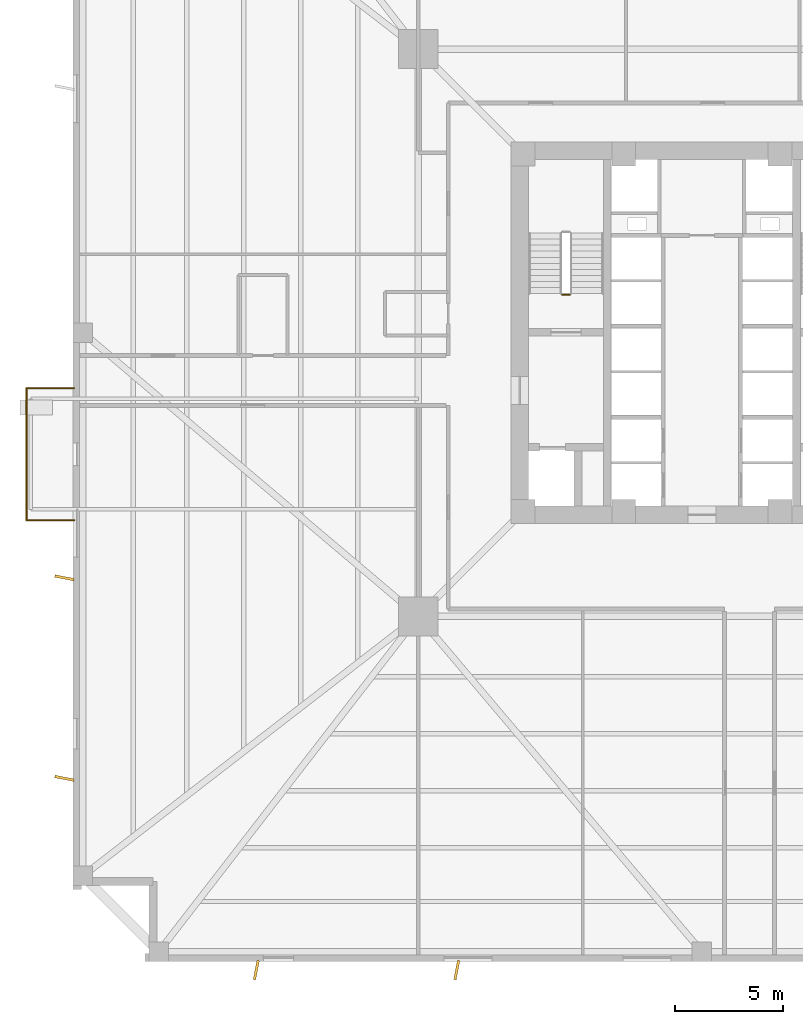
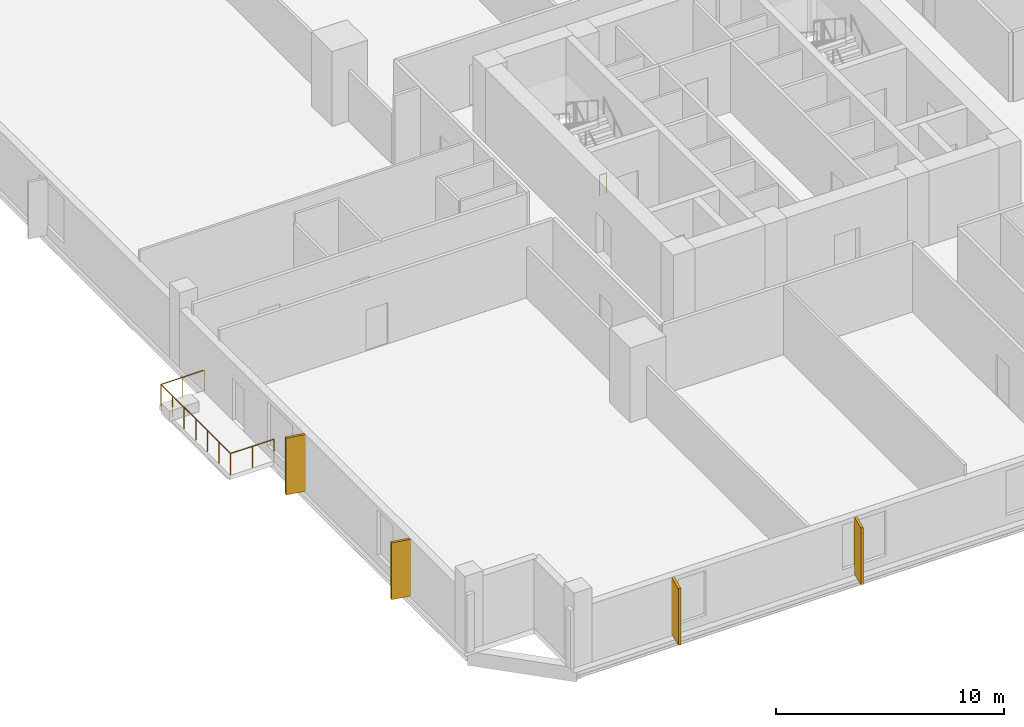
# One storey, part 6 of 9: 4 coverings, 4 railings.
"""IFC4 building model written with IfcOpenShell, lengths in metres."""

from ifc_helpers import new_model, si_unit, direction, frame, origin, origin_2d, place, context, subcontext, project, spatial, rectangle, circle, extrude, source, transform, mapped, material, layer, layer_set, type_object, element, save


model = new_model("IFC4")

# Units and contexts
model_context = context("Model", 3, precision=1e-05, world=origin(), true_north=direction((0.0, 1.0)))
body_context = subcontext(model_context, "Body", "Model", "MODEL_VIEW")
ifc_project = project(units=[si_unit("LENGTHUNIT", "METRE"), si_unit("AREAUNIT", "SQUARE_METRE"), si_unit("VOLUMEUNIT", "CUBIC_METRE"), si_unit("PLANEANGLEUNIT", "RADIAN"), si_unit("MASSUNIT", "GRAM", prefix="KILO"), si_unit("THERMODYNAMICTEMPERATUREUNIT", "KELVIN")], contexts=[model_context])

# Site, building, storey
site_placement = place(None, origin())
site = spatial("IfcSite", under=ifc_project, at=site_placement, CompositionType="ELEMENT")
building_placement = place(site_placement, origin())
building = spatial("IfcBuilding", under=site, at=building_placement, Name="Kosmvard Interchange Tower", CompositionType="ELEMENT")
storey_placement = place(building_placement, frame((0.0, 0.0, 70.0)))
storey = spatial("IfcBuildingStorey", under=building, at=storey_placement, Name="L16", CompositionType="ELEMENT", Elevation=70.0)

# Coverings
ifc_material_1 = material(Name="Architectural anodised aluminium", Category="aluminium")
ifc_layer = layer(ifc_material_1, 0.1201171875, Name="Architectural anodised aluminium")
ifc_layer_set = layer_set([ifc_layer], Name="Architectural anodised aluminium")
covering_type = type_object("IfcCoveringType", Name="Rotating Vertical Sun-Breaker Fin 900x120 Aluminium", PredefinedType="CLADDING", material=ifc_layer_set)
shared_shape_1 = source(origin(), body_context, "Body", "SweptSolid", [
    extrude(rectangle(XDim=0.89990234375, YDim=0.1201171875, at=origin_2d()), origin(), (0.0, 0.0, 1.0), 3.0400390625),
])
for number, where, z_axis, x_axis, name in (
    (1, (-20.552001953125, -29.39990234375, 0.0400390625), (0.0, 0.0, 1.0), (-0.191494253877, -0.981493734433, 0.0), "L16 Rotating Vertical Sun-Breaker Fin 01"),
    (2, (-11.3037109375, -29.39990234375, 0.0400390625), (0.0, 0.0, 1.0), (-0.191494253877, -0.981493734433, 0.0), "L16 Rotating Vertical Sun-Breaker Fin 02"),
    (3, (-29.39990234375, -11.3037109375, 0.0400390625), (0.0, 0.0, 1.0), (-0.981493734433, 0.191494253877, 0.0), "L16 Rotating Vertical Sun-Breaker Fin 15"),
    (4, (-29.39990234375, -20.552001953125, 0.0400390625), (0.0, 0.0, 1.0), (-0.981493734433, 0.191494253877, 0.0), "L16 Rotating Vertical Sun-Breaker Fin 16"),
):
    element("IfcCovering", number, at=place(storey_placement, frame(where, z_axis=z_axis, x_axis=x_axis)), inside=storey, type_object=covering_type, Name=name, PredefinedType="CLADDING", context=body_context, shape_type="MappedRepresentation", body=[
        mapped(shared_shape_1, transform((0.0, 0.0, 0.0), scale=1.0)),
    ])

# Railings
ifc_material_2 = material(Name="Steel S355", Category="steel")
railing_type_1 = type_object("IfcRailingType", Name="Observation & Balcony Glass-Infill Balustrade 1150", PredefinedType="BALUSTRADE", material=ifc_material_2)
shared_shape_2 = source(origin(), body_context, "Body", "SweptSolid", [
    extrude(circle(Radius=0.02392578125, at=origin_2d()), frame((0.0, 0.0, 1.1259765625), z_axis=(1.0, 0.0, 0.0), x_axis=(0.0, 1.0, 0.0)), (0.0, 0.0, 1.0), 2.199951171875),
    extrude(circle(Radius=0.02099609375, at=origin_2d()), origin(), (0.0, 0.0, 1.0), 1.101806640625),
    extrude(circle(Radius=0.02099609375, at=origin_2d()), frame((1.10009765625, 0.0, 0.0)), (0.0, 0.0, 1.0), 1.101806640625),
    extrude(circle(Radius=0.02099609375, at=origin_2d()), frame((2.199951171875, 0.0, 0.0)), (0.0, 0.0, 1.0), 1.101806640625),
])
railing_1_placement = place(storey_placement, frame((-31.14990234375, -8.64990234375, 0.0)))
element("IfcRailing", 5, at=railing_1_placement, inside=storey, type_object=railing_type_1, Name="L16 Outdoor Terrace Guard BAL-L16-W-C", PredefinedType="BALUSTRADE", context=body_context, shape_type="MappedRepresentation", body=[
    mapped(shared_shape_2, transform((0.0, 0.0, 0.0), scale=1.0)),
])
shared_shape_3 = source(origin(), body_context, "Body", "SweptSolid", [
    extrude(circle(Radius=0.02392578125, at=origin_2d()), frame((0.0, 0.0, 1.1259765625), z_axis=(-1.0, 0.0, 0.0), x_axis=(0.0, -1.0, 0.0)), (0.0, 0.0, 1.0), 2.199951171875),
    extrude(circle(Radius=0.02099609375, at=origin_2d()), origin(), (0.0, 0.0, 1.0), 1.101806640625),
    extrude(circle(Radius=0.02099609375, at=origin_2d()), frame((-1.10009765625, 0.0, 0.0)), (0.0, 0.0, 1.0), 1.101806640625),
    extrude(circle(Radius=0.02099609375, at=origin_2d()), frame((-2.199951171875, 0.0, 0.0)), (0.0, 0.0, 1.0), 1.101806640625),
])
railing_2_placement = place(storey_placement, frame((-28.949951171875, -2.550048828125, 0.0)))
element("IfcRailing", 6, at=railing_2_placement, inside=storey, type_object=railing_type_1, Name="L16 Outdoor Terrace Guard BAL-L16-W-A", PredefinedType="BALUSTRADE", context=body_context, shape_type="MappedRepresentation", body=[
    mapped(shared_shape_3, transform((0.0, 0.0, 0.0), scale=1.0)),
])
shared_shape_4 = source(origin(), body_context, "Body", "SweptSolid", [
    extrude(circle(Radius=0.02392578125, at=origin_2d()), frame((0.0, 0.0, 1.1259765625), z_axis=(0.0, -1.0, 0.0), x_axis=(1.0, 0.0, 0.0)), (0.0, 0.0, 1.0), 6.099853515625),
    extrude(circle(Radius=0.02099609375, at=origin_2d()), origin(), (0.0, 0.0, 1.0), 1.101806640625),
    extrude(circle(Radius=0.02099609375, at=origin_2d()), frame((0.0, -1.0166015625, 0.0)), (0.0, 0.0, 1.0), 1.101806640625),
    extrude(circle(Radius=0.02099609375, at=origin_2d()), frame((0.0, -2.033203125, 0.0)), (0.0, 0.0, 1.0), 1.101806640625),
    extrude(circle(Radius=0.02099609375, at=origin_2d()), frame((0.0, -3.0498046875, 0.0)), (0.0, 0.0, 1.0), 1.101806640625),
    extrude(circle(Radius=0.02099609375, at=origin_2d()), frame((0.0, -4.066650390625, 0.0)), (0.0, 0.0, 1.0), 1.101806640625),
    extrude(circle(Radius=0.02099609375, at=origin_2d()), frame((0.0, -5.083251953125, 0.0)), (0.0, 0.0, 1.0), 1.101806640625),
    extrude(circle(Radius=0.02099609375, at=origin_2d()), frame((0.0, -6.099853515625, 0.0)), (0.0, 0.0, 1.0), 1.101806640625),
])
railing_3_placement = place(storey_placement, frame((-31.14990234375, -2.550048828125, 0.0)))
element("IfcRailing", 7, at=railing_3_placement, inside=storey, type_object=railing_type_1, Name="L16 Outdoor Terrace Guard BAL-L16-W-B", PredefinedType="BALUSTRADE", context=body_context, shape_type="MappedRepresentation", body=[
    mapped(shared_shape_4, transform((0.0, 0.0, 0.0), scale=1.0)),
])
railing_type_2 = type_object("IfcRailingType", Name="Stair & Terrace Safety Guardrail 1100 Steel", PredefinedType="GUARDRAIL", material=ifc_material_2)
shared_shape_5 = source(origin(), body_context, "Body", "SweptSolid", [
    extrude(circle(Radius=0.02392578125, at=origin_2d()), frame((0.0, 0.0, 1.076171875), z_axis=(-1.0, 0.0, 0.0), x_axis=(0.0, -1.0, 0.0)), (0.0, 0.0, 1.0), 0.35986328125),
    extrude(circle(Radius=0.02099609375, at=origin_2d()), origin(), (0.0, 0.0, 1.0), 1.052001953125),
    extrude(circle(Radius=0.02099609375, at=origin_2d()), frame((-0.35986328125, 0.0, 0.0)), (0.0, 0.0, 1.0), 1.052001953125),
])
railing_4_placement = place(storey_placement, frame((-6.090087890625, 1.75, 0.0)))
element("IfcRailing", 8, at=railing_4_placement, inside=storey, type_object=railing_type_2, Name="L16 ST-1 stair guard 4", PredefinedType="GUARDRAIL", context=body_context, shape_type="MappedRepresentation", body=[
    mapped(shared_shape_5, transform((0.0, 0.0, 0.0), scale=1.0)),
])

save(model, "model.ifc")
